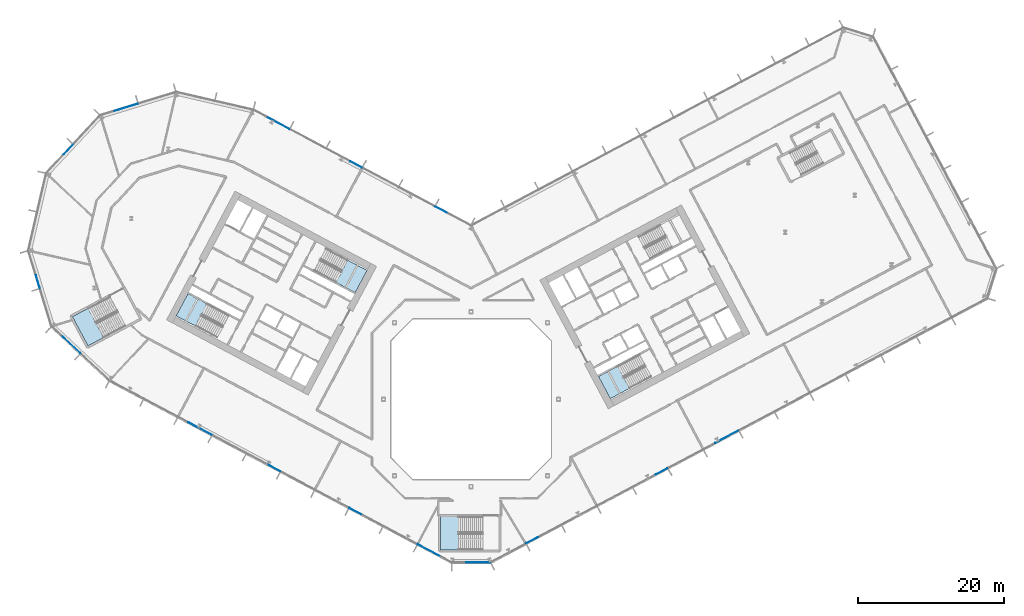
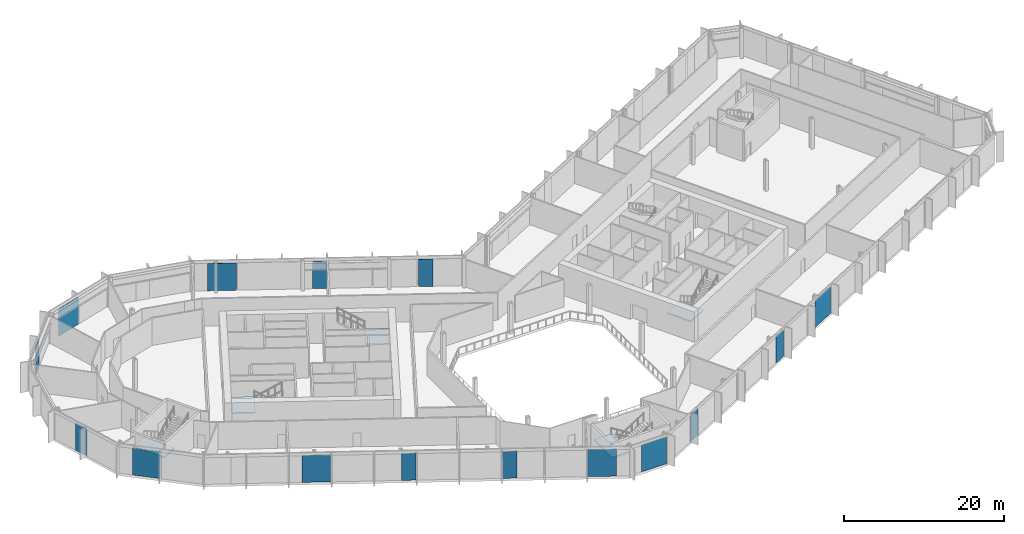
# One storey, part 10 of 31: 15 plates, 5 slabs, 13 elements without a shape of their own.
"""IFC4 building model written with IfcOpenShell, lengths in metres."""

from ifc_helpers import new_model, si_unit, direction, frame, origin, origin_2d, place, context, subcontext, project, spatial, polyline, rectangle, outline, extrude, material, layer, layer_set, type_object, element, aggregate, save


model = new_model("IFC4")

# Units and contexts
model_context = context("Model", 3, precision=1e-05, world=origin(), true_north=direction((0.0, 1.0)))
body_context = subcontext(model_context, "Body", "Model", "MODEL_VIEW")
ifc_project = project(units=[si_unit("LENGTHUNIT", "METRE"), si_unit("AREAUNIT", "SQUARE_METRE"), si_unit("VOLUMEUNIT", "CUBIC_METRE"), si_unit("PLANEANGLEUNIT", "RADIAN"), si_unit("MASSUNIT", "GRAM", prefix="KILO")], contexts=[model_context])

# Site, building, storey
site_placement = place(None, origin())
site = spatial("IfcSite", under=ifc_project, at=site_placement, CompositionType="ELEMENT")
building_placement = place(site_placement, origin())
building = spatial("IfcBuilding", under=site, at=building_placement, Name="Cormorant Relay Tower", CompositionType="ELEMENT")
storey_placement = place(building_placement, frame((0.0, 0.0, 107.60009765625)))
storey = spatial("IfcBuildingStorey", under=building, at=storey_placement, Name="L21", CompositionType="ELEMENT", Elevation=107.60009765625)

# Curtain wall, plates
ifc_material_1 = material(Name="Aluminium 6063-T6 anodised bronze", Category="aluminium")
ifc_layer_1 = layer(ifc_material_1, 0.199951171875)
ifc_layer_set_1 = layer_set([ifc_layer_1], Name="CW1 unitised bronze curtain wall with vertical fins")
curtain_wall_type = type_object("IfcCurtainWallType", Name="CW1 unitised bronze curtain wall with vertical fins", PredefinedType="NOTDEFINED", material=ifc_layer_set_1)
curtain_wall_1_placement = place(storey_placement, origin())
curtain_wall_1 = element("IfcCurtainWall", 1, at=curtain_wall_1_placement, inside=storey, type_object=curtain_wall_type, Name="CW1 curtain wall 2", PredefinedType="NOTDEFINED")
ifc_material_2 = material(Name="Tinted laminated glass", Category="glass")
ifc_layer_2 = layer(ifc_material_2, 0.0400390625)
ifc_layer_set_2 = layer_set([ifc_layer_2], Name="CW1 tinted vision panel 1800 module")
plate_type_1 = type_object("IfcPlateType", Name="CW1 tinted vision panel 1800 module", PredefinedType="CURTAIN_PANEL", material=ifc_layer_set_2)
plate_1_placement = place(storey_placement, frame((8.3857421875, -19.347900390625, 0.0), z_axis=(0.0, 0.0, 1.0), x_axis=(0.882947592859, 0.469471562786, 0.0)))
plate_1 = element("IfcPlate", 2, at=plate_1_placement, type_object=plate_type_1, Name="CW1 panel V01", PredefinedType="CURTAIN_PANEL", context=body_context, shape_type="SweptSolid", body=[
    extrude(rectangle(XDim=1.800048828125, YDim=0.0400390625, at=origin_2d()), origin(), (0.0, 0.0, 1.0), 4.14990234375),
])
plate_2_placement = place(storey_placement, frame((26.130615234375, -9.91259765625, 0.0), z_axis=(0.0, 0.0, 1.0), x_axis=(0.882947592859, 0.469471562786, 0.0)))
plate_2 = element("IfcPlate", 3, at=plate_2_placement, type_object=plate_type_1, Name="CW1 panel V04", PredefinedType="CURTAIN_PANEL", context=body_context, shape_type="SweptSolid", body=[
    extrude(rectangle(XDim=1.800048828125, YDim=0.0400390625, at=origin_2d()), origin(), (0.0, 0.0, 1.0), 4.14990234375),
])

curtain_wall_2_placement = place(storey_placement, origin())
curtain_wall_2 = element("IfcCurtainWall", 4, at=curtain_wall_2_placement, inside=storey, type_object=curtain_wall_type, Name="CW1 curtain wall 7", PredefinedType="NOTDEFINED")
plate_3_placement = place(storey_placement, frame((-4.108642578125, 25.9912109375, 0.0), z_axis=(0.0, 0.0, 1.0), x_axis=(-0.882947592859, 0.469471562786, 0.0)))
plate_3 = element("IfcPlate", 5, at=plate_3_placement, type_object=plate_type_1, Name="CW1 panel V01", PredefinedType="CURTAIN_PANEL", context=body_context, shape_type="SweptSolid", body=[
    extrude(rectangle(XDim=1.800048828125, YDim=0.0400390625, at=origin_2d()), origin(), (0.0, 0.0, 1.0), 4.14990234375),
])
plate_4_placement = place(storey_placement, frame((-15.788330078125, 32.201416015625, 0.0), z_axis=(0.0, 0.0, 1.0), x_axis=(-0.882947592859, 0.469471562786, 0.0)))
plate_4 = element("IfcPlate", 6, at=plate_4_placement, type_object=plate_type_1, Name="CW1 panel V04", PredefinedType="CURTAIN_PANEL", context=body_context, shape_type="SweptSolid", body=[
    extrude(rectangle(XDim=1.800048828125, YDim=0.0400390625, at=origin_2d()), origin(), (0.0, 0.0, 1.0), 4.14990234375),
])

# Curtain wall, plate
curtain_wall_3_placement = place(storey_placement, origin())
curtain_wall_3 = element("IfcCurtainWall", 7, at=curtain_wall_3_placement, inside=storey, type_object=curtain_wall_type, Name="CW1 curtain wall 10", PredefinedType="NOTDEFINED")
plate_5_placement = place(storey_placement, frame((-55.247314453125, 34.2607421875, 0.0), z_axis=(0.0, 0.0, 1.0), x_axis=(-0.681998360062, -0.731353701619, 0.0)))
plate_5 = element("IfcPlate", 8, at=plate_5_placement, type_object=plate_type_1, Name="CW1 panel V01", PredefinedType="CURTAIN_PANEL", context=body_context, shape_type="SweptSolid", body=[
    extrude(rectangle(XDim=1.800048828125, YDim=0.0400390625, at=origin_2d()), origin(), (0.0, 0.0, 1.0), 4.14990234375),
])
aggregate(curtain_wall_3, [plate_5])

curtain_wall_4_placement = place(storey_placement, origin())
curtain_wall_4 = element("IfcCurtainWall", 9, at=curtain_wall_4_placement, inside=storey, type_object=curtain_wall_type, Name="CW1 curtain wall 12", PredefinedType="NOTDEFINED")
plate_6_placement = place(storey_placement, frame((-59.434814453125, 16.122314453125, 0.0), z_axis=(0.0, 0.0, 1.0), x_axis=(0.292371704723, -0.956304755963, 0.0)))
plate_6 = element("IfcPlate", 10, at=plate_6_placement, type_object=plate_type_1, Name="CW1 panel V01", PredefinedType="CURTAIN_PANEL", context=body_context, shape_type="SweptSolid", body=[
    extrude(rectangle(XDim=1.800048828125, YDim=0.0400390625, at=origin_2d()), origin(), (0.0, 0.0, 1.0), 4.14990234375),
])
aggregate(curtain_wall_4, [plate_6])

# Curtain wall, plates
curtain_wall_5_placement = place(storey_placement, origin())
curtain_wall_5 = element("IfcCurtainWall", 11, at=curtain_wall_5_placement, inside=storey, type_object=curtain_wall_type, Name="CW1 curtain wall 14", PredefinedType="NOTDEFINED")
plate_7_placement = place(storey_placement, frame((-26.990478515625, -9.45556640625, 0.0), z_axis=(0.0, 0.0, 1.0), x_axis=(0.882947592859, -0.469471562786, 0.0)))
plate_7 = element("IfcPlate", 12, at=plate_7_placement, type_object=plate_type_1, Name="CW1 panel V05", PredefinedType="CURTAIN_PANEL", context=body_context, shape_type="SweptSolid", body=[
    extrude(rectangle(XDim=1.800048828125, YDim=0.0400390625, at=origin_2d()), origin(), (0.0, 0.0, 1.0), 4.14990234375),
])
plate_8_placement = place(storey_placement, frame((-15.880126953125, -15.363037109375, 0.0), z_axis=(0.0, 0.0, 1.0), x_axis=(0.882947592859, -0.469471562786, 0.0)))
plate_8 = element("IfcPlate", 13, at=plate_8_placement, type_object=plate_type_1, Name="CW1 panel V07", PredefinedType="CURTAIN_PANEL", context=body_context, shape_type="SweptSolid", body=[
    extrude(rectangle(XDim=1.800048828125, YDim=0.0400390625, at=origin_2d()), origin(), (0.0, 0.0, 1.0), 4.14990234375),
])

# Curtain wall, plate
curtain_wall_6_placement = place(storey_placement, origin())
curtain_wall_6 = element("IfcCurtainWall", 14, at=curtain_wall_6_placement, inside=storey, type_object=curtain_wall_type, Name="CW1 curtain wall 1", PredefinedType="NOTDEFINED")
ifc_material_3 = material(Name="Tinted laminated glass", Category="glass")
ifc_layer_3 = layer(ifc_material_3, 0.0400390625)
ifc_layer_set_3 = layer_set([ifc_layer_3], Name="CW1 tinted vision panel 3600 module")
plate_type_2 = type_object("IfcPlateType", Name="CW1 tinted vision panel 3600 module", PredefinedType="CURTAIN_PANEL", material=ifc_layer_set_3)
plate_9_placement = place(storey_placement, frame((0.848876953125, -22.3955078125, 0.0), z_axis=(0.0, 0.0, 1.0), x_axis=(1.0, 0.0, 0.0)))
plate_9 = element("IfcPlate", 15, at=plate_9_placement, type_object=plate_type_2, Name="CW1 panel V01", PredefinedType="CURTAIN_PANEL", context=body_context, shape_type="SweptSolid", body=[
    extrude(rectangle(XDim=3.60009765625, YDim=0.0400390625, at=origin_2d()), origin(), (0.0, 0.0, 1.0), 4.14990234375),
])
aggregate(curtain_wall_6, [plate_9])

# Plate
plate_10_placement = place(storey_placement, frame((35.0693359375, -5.159912109375, 0.0), z_axis=(0.0, 0.0, 1.0), x_axis=(0.882947592859, 0.469471562786, 0.0)))
plate_10 = element("IfcPlate", 16, at=plate_10_placement, type_object=plate_type_2, Name="CW1 panel V06", PredefinedType="CURTAIN_PANEL", context=body_context, shape_type="SweptSolid", body=[
    extrude(rectangle(XDim=3.60009765625, YDim=0.0400390625, at=origin_2d()), origin(), (0.0, 0.0, 1.0), 4.14990234375),
])

aggregate(curtain_wall_1, [plate_1, plate_2, plate_10])

plate_11_placement = place(storey_placement, frame((-26.541015625, 37.918701171875, 0.0), z_axis=(0.0, 0.0, 1.0), x_axis=(-0.882947592859, 0.469471562786, 0.0)))
plate_11 = element("IfcPlate", 17, at=plate_11_placement, type_object=plate_type_2, Name="CW1 panel V06", PredefinedType="CURTAIN_PANEL", context=body_context, shape_type="SweptSolid", body=[
    extrude(rectangle(XDim=3.60009765625, YDim=0.0400390625, at=origin_2d()), origin(), (0.0, 0.0, 1.0), 4.14990234375),
])

aggregate(curtain_wall_2, [plate_3, plate_4, plate_11])

# Curtain wall, plate
curtain_wall_7_placement = place(storey_placement, origin())
curtain_wall_7 = element("IfcCurtainWall", 18, at=curtain_wall_7_placement, inside=storey, type_object=curtain_wall_type, Name="CW1 curtain wall 9", PredefinedType="NOTDEFINED")
plate_12_placement = place(storey_placement, frame((-47.462158203125, 39.995361328125, 0.0), z_axis=(0.0, 0.0, 1.0), x_axis=(-0.956304755963, -0.292371704723, 0.0)))
plate_12 = element("IfcPlate", 19, at=plate_12_placement, type_object=plate_type_2, Name="CW1 panel V01", PredefinedType="CURTAIN_PANEL", context=body_context, shape_type="SweptSolid", body=[
    extrude(rectangle(XDim=3.60009765625, YDim=0.0400390625, at=origin_2d()), origin(), (0.0, 0.0, 1.0), 4.14990234375),
])
aggregate(curtain_wall_7, [plate_12])

curtain_wall_8_placement = place(storey_placement, origin())
curtain_wall_8 = element("IfcCurtainWall", 20, at=curtain_wall_8_placement, inside=storey, type_object=curtain_wall_type, Name="CW1 curtain wall 13", PredefinedType="NOTDEFINED")
plate_13_placement = place(storey_placement, frame((-54.951416015625, 7.55517578125, 0.0), z_axis=(0.0, 0.0, 1.0), x_axis=(0.731353701619, -0.681998360062, 0.0)))
plate_13 = element("IfcPlate", 21, at=plate_13_placement, type_object=plate_type_2, Name="CW1 panel V01", PredefinedType="CURTAIN_PANEL", context=body_context, shape_type="SweptSolid", body=[
    extrude(rectangle(XDim=3.60009765625, YDim=0.0400390625, at=origin_2d()), origin(), (0.0, 0.0, 1.0), 4.14990234375),
])
aggregate(curtain_wall_8, [plate_13])

# Plate
plate_14_placement = place(storey_placement, frame((-37.173583984375, -4.041015625, 0.0), z_axis=(0.0, 0.0, 1.0), x_axis=(0.882947592859, -0.469471562786, 0.0)))
plate_14 = element("IfcPlate", 22, at=plate_14_placement, type_object=plate_type_2, Name="CW1 panel V03", PredefinedType="CURTAIN_PANEL", context=body_context, shape_type="SweptSolid", body=[
    extrude(rectangle(XDim=3.60009765625, YDim=0.0400390625, at=origin_2d()), origin(), (0.0, 0.0, 1.0), 4.14990234375),
])

plate_15_placement = place(storey_placement, frame((-5.697021484375, -20.777587890625, 0.0), z_axis=(0.0, 0.0, 1.0), x_axis=(0.882947592859, -0.469471562786, 0.0)))
plate_15 = element("IfcPlate", 23, at=plate_15_placement, type_object=plate_type_2, Name="CW1 panel V09", PredefinedType="CURTAIN_PANEL", context=body_context, shape_type="SweptSolid", body=[
    extrude(rectangle(XDim=3.60009765625, YDim=0.0400390625, at=origin_2d()), origin(), (0.0, 0.0, 1.0), 4.14990234375),
])

aggregate(curtain_wall_5, [plate_14, plate_7, plate_8, plate_15])

# Stair, slab
ifc_material_4 = material(Name="Concrete 40 MPa", Category="concrete")
stair_type_1 = type_object("IfcStairType", Name="Exit stair 1500", PredefinedType="HALF_TURN_STAIR", material=ifc_material_4)
stair_1_placement = place(storey_placement, origin())
stair_1 = element("IfcStair", 24, at=stair_1_placement, inside=storey, type_object=stair_type_1, Name="L21 Stair", PredefinedType="HALF_TURN_STAIR")
ifc_material_5 = material(Name="Concrete 40 MPa", Category="concrete")
ifc_layer_4 = layer(ifc_material_5, 0.199951171875)
ifc_layer_set_4 = layer_set([ifc_layer_4], Name="Exit stair landing 200")
slab_type = type_object("IfcSlabType", Name="Exit stair landing 200", PredefinedType="LANDING", material=ifc_layer_set_4)
slab_1_placement = place(storey_placement, frame((0.0, 0.0, 2.099853515625)))
slab_1 = element("IfcSlab", 25, at=slab_1_placement, type_object=slab_type, Name="A1 landing 1", PredefinedType="LANDING", context=body_context, shape_type="SweptSolid", body=[
    extrude(outline(polyline([(-18.534912109375, 16.02783203125), (-15.89501953125, 14.6240234375), (-14.275390625, 17.670166015625), (-16.915283203125, 19.073974609375), (-18.534912109375, 16.02783203125)])), origin(), (0.0, 0.0, 1.0), 0.199951171875),
])
aggregate(stair_1, [slab_1])

stair_2_placement = place(storey_placement, origin())
stair_2 = element("IfcStair", 26, at=stair_2_placement, inside=storey, type_object=stair_type_1, Name="L21 Stair", PredefinedType="HALF_TURN_STAIR")
slab_2_placement = place(storey_placement, frame((0.0, 0.0, 2.099853515625)))
slab_2 = element("IfcSlab", 27, at=slab_2_placement, type_object=slab_type, Name="A2 landing 1", PredefinedType="LANDING", context=body_context, shape_type="SweptSolid", body=[
    extrude(outline(polyline([(-36.207763671875, 13.07958984375), (-38.84765625, 14.483154296875), (-40.467529296875, 11.43701171875), (-37.827392578125, 10.033447265625), (-36.207763671875, 13.07958984375)])), origin(), (0.0, 0.0, 1.0), 0.199951171875),
])
aggregate(stair_2, [slab_2])

stair_3_placement = place(storey_placement, origin())
stair_3 = element("IfcStair", 28, at=stair_3_placement, inside=storey, type_object=stair_type_1, Name="L21 Stair", PredefinedType="HALF_TURN_STAIR")
slab_3_placement = place(storey_placement, frame((0.0, 0.0, 2.099853515625)))
slab_3 = element("IfcSlab", 29, at=slab_3_placement, type_object=slab_type, Name="B1 landing 1", PredefinedType="LANDING", context=body_context, shape_type="SweptSolid", body=[
    extrude(outline(polyline([(20.120361328125, 4.525634765625), (17.48046875, 3.1220703125), (19.10009765625, 0.075927734375), (21.740234375, 1.4794921875), (20.120361328125, 4.525634765625)])), origin(), (0.0, 0.0, 1.0), 0.199951171875),
])
aggregate(stair_3, [slab_3])

ifc_material_6 = material(Name="Concrete 40 MPa", Category="concrete")
stair_type_2 = type_object("IfcStairType", Name="Remote exit stair 2200", PredefinedType="HALF_TURN_STAIR", material=ifc_material_6)
stair_4_placement = place(storey_placement, origin())
stair_4 = element("IfcStair", 30, at=stair_4_placement, inside=storey, type_object=stair_type_2, Name="L21 Stair", PredefinedType="HALF_TURN_STAIR")
slab_4_placement = place(storey_placement, frame((0.0, 0.0, 2.099853515625)))
slab_4 = element("IfcSlab", 31, at=slab_4_placement, type_object=slab_type, Name="RK1 landing 1", PredefinedType="LANDING", context=body_context, shape_type="SweptSolid", body=[
    extrude(outline(polyline([(-1.760009765625, -16.125), (-4.199951171875, -16.125), (-4.199951171875, -20.675048828125), (-1.760009765625, -20.675048828125), (-1.760009765625, -16.125)])), origin(), (0.0, 0.0, 1.0), 0.199951171875),
])
aggregate(stair_4, [slab_4])

stair_5_placement = place(storey_placement, origin())
stair_5 = element("IfcStair", 32, at=stair_5_placement, inside=storey, type_object=stair_type_2, Name="L21 Stair", PredefinedType="HALF_TURN_STAIR")
slab_5_placement = place(storey_placement, frame((0.0, 0.0, 2.099853515625)))
slab_5 = element("IfcSlab", 33, at=slab_5_placement, type_object=slab_type, Name="RP1 landing 1", PredefinedType="LANDING", context=body_context, shape_type="SweptSolid", body=[
    extrude(outline(polyline([(-52.54541015625, 12.476318359375), (-54.699951171875, 11.330810546875), (-52.563720703125, 7.3134765625), (-50.409423828125, 8.458984375), (-52.54541015625, 12.476318359375)])), origin(), (0.0, 0.0, 1.0), 0.199951171875),
])
aggregate(stair_5, [slab_5])

save(model, "model.ifc")
